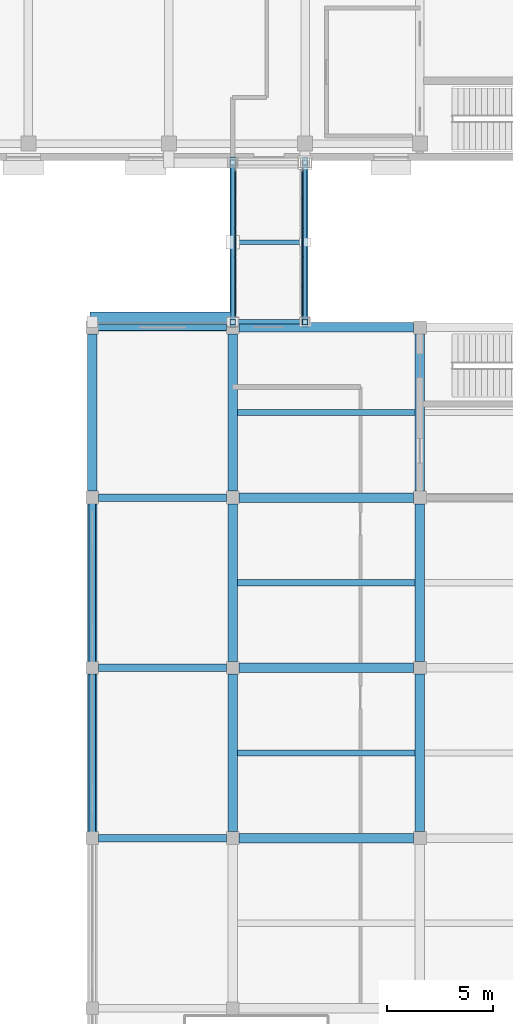
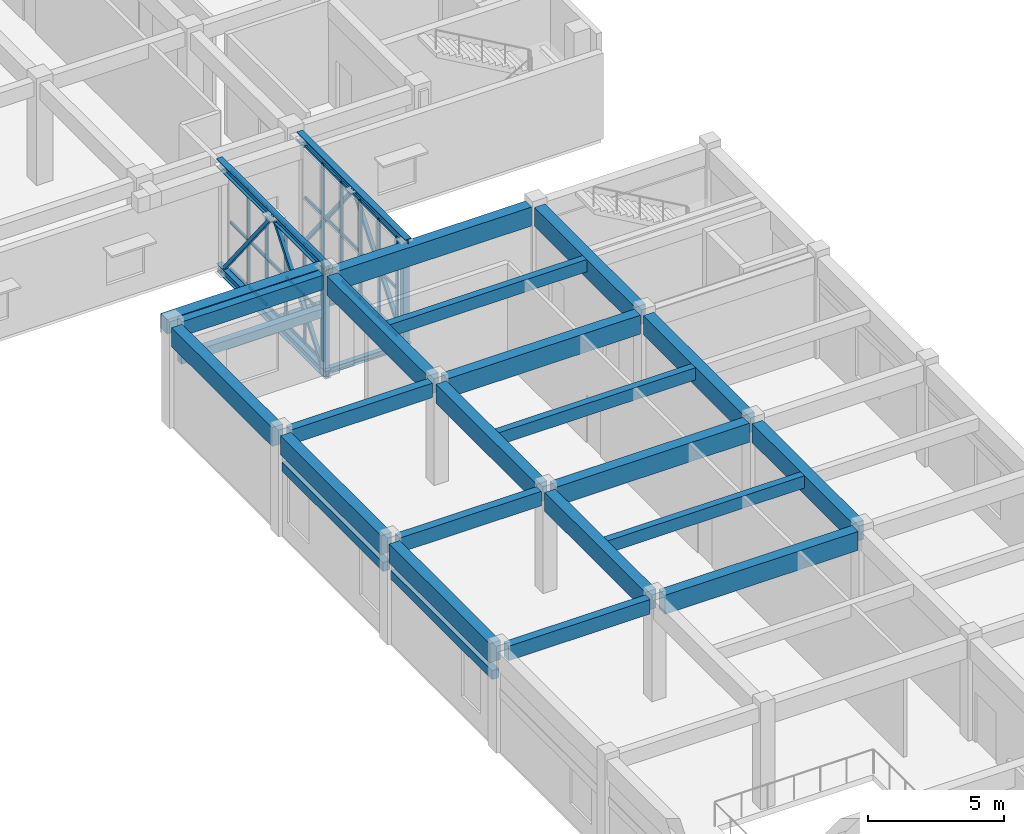
# One storey, part 23 of 64: 50 members, 26 beams, 2 elements without a shape of their own.
"""IFC4 building model written with IfcOpenShell, lengths in metres."""

from ifc_helpers import new_model, si_unit, direction, frame, origin, origin_2d, place, context, subcontext, project, spatial, rectangle, hollow_rectangle, i_section, extrude, material, layer, layer_set, material_profile, profile_set, type_object, element, aggregate, save


model = new_model("IFC4")

# Units and contexts
model_context = context("Model", 3, precision=1e-05, world=origin(), true_north=direction((0.0, 1.0)))
body_context = subcontext(model_context, "Body", "Model", "MODEL_VIEW")
ifc_project = project(units=[si_unit("LENGTHUNIT", "METRE"), si_unit("AREAUNIT", "SQUARE_METRE"), si_unit("VOLUMEUNIT", "CUBIC_METRE"), si_unit("PLANEANGLEUNIT", "RADIAN"), si_unit("MASSUNIT", "GRAM", prefix="KILO")], contexts=[model_context])

# Site, building, storey
site_placement = place(None, origin())
site = spatial("IfcSite", under=ifc_project, at=site_placement, CompositionType="ELEMENT")
building_placement = place(site_placement, origin())
building = spatial("IfcBuilding", under=site, at=building_placement, Name="Cinchona Park Media Centre", CompositionType="ELEMENT")
storey_placement = place(building_placement, frame((0.0, 0.0, 5.39990234375)))
storey = spatial("IfcBuildingStorey", under=building, at=storey_placement, Name="L01", CompositionType="ELEMENT", Elevation=5.39990234375)

# Beams
ifc_material_1 = material(Name="Concrete C35/45", Category="concrete")
ifc_material_profile_1 = material_profile(ifc_material_1, rectangle(XDim=0.449951171875, YDim=0.85009765625, at=origin_2d()), Name="RB 450X850")
ifc_profile_set_1 = profile_set([ifc_material_profile_1], Name="Concrete C35/45")
beam_type_1 = type_object("IfcBeamType", Name="BEAM-B02-RB450X850", PredefinedType="BEAM", material=ifc_profile_set_1)
for number, where, z_axis, x_axis, name in (
    (1, (156.10009765625, 39.60009765625, 4.09521484375), (1.0, 0.0, 0.0), (0.0, 1.0, 0.0), "Beam B02 L01"),
    (2, (156.10009765625, 47.60009765625, 4.09521484375), (1.0, 0.0, 0.0), (0.0, 1.0, 0.0), "Beam B02 L01"),
    (3, (156.10009765625, 55.60009765625, 4.09521484375), (1.0, 0.0, 0.0), (0.0, 1.0, 0.0), "Beam B02 L01"),
    (4, (156.10009765625, 63.60009765625, 4.09521484375), (1.0, 0.0, 0.0), (0.0, 1.0, 0.0), "Beam B02 L01"),
):
    element("IfcBeam", number, at=place(storey_placement, frame(where, z_axis=z_axis, x_axis=x_axis)), inside=storey, type_object=beam_type_1, Name=name, PredefinedType="BEAM", context=body_context, shape_type="SweptSolid", body=[
        extrude(rectangle(XDim=0.449951171875, YDim=0.85009765625, at=origin_2d()), origin(), (0.0, 0.0, 1.0), 8.199951171875),
    ])
for number, where, z_axis, x_axis, name in (
    (5, (149.199951171875, 39.89990234375, 4.09521484375), (0.0, 1.0, 0.0), (-1.0, 0.0, 0.0), "Girder B02 L01"),
    (6, (149.199951171875, 47.89990234375, 4.09521484375), (0.0, 1.0, 0.0), (-1.0, 0.0, 0.0), "Girder B02 L01"),
    (7, (149.199951171875, 55.89990234375, 4.09521484375), (0.0, 1.0, 0.0), (-1.0, 0.0, 0.0), "Girder B02 L01"),
    (8, (155.800048828125, 39.89990234375, 4.09521484375), (0.0, 1.0, 0.0), (-1.0, 0.0, 0.0), "Girder B02 L01"),
    (9, (155.800048828125, 47.89990234375, 4.09521484375), (0.0, 1.0, 0.0), (-1.0, 0.0, 0.0), "Girder B02 L01"),
    (10, (155.800048828125, 55.89990234375, 4.09521484375), (0.0, 1.0, 0.0), (-1.0, 0.0, 0.0), "Girder B02 L01"),
    (11, (164.60009765625, 39.89990234375, 4.09521484375), (0.0, 1.0, 0.0), (-1.0, 0.0, 0.0), "Girder B02 L01"),
    (12, (164.60009765625, 47.89990234375, 4.09521484375), (0.0, 1.0, 0.0), (-1.0, 0.0, 0.0), "Girder B02 L01"),
    (13, (164.60009765625, 55.89990234375, 4.09521484375), (0.0, 1.0, 0.0), (-1.0, 0.0, 0.0), "Girder B02 L01"),
):
    element("IfcBeam", number, at=place(storey_placement, frame(where, z_axis=z_axis, x_axis=x_axis)), inside=storey, type_object=beam_type_1, Name=name, PredefinedType="BEAM", context=body_context, shape_type="SweptSolid", body=[
        extrude(rectangle(XDim=0.449951171875, YDim=0.85009765625, at=origin_2d()), origin(), (0.0, 0.0, 1.0), 7.400146484375),
    ])
ifc_material_2 = material(Name="Concrete C35/45", Category="concrete")
ifc_material_profile_2 = material_profile(ifc_material_2, rectangle(XDim=0.35009765625, YDim=0.64990234375, at=origin_2d()), Name="RB 350X650")
ifc_profile_set_2 = profile_set([ifc_material_profile_2], Name="Concrete C35/45")
beam_type_2 = type_object("IfcBeamType", Name="BEAM-B04-RB350X650", PredefinedType="BEAM", material=ifc_profile_set_2)
for number, where, z_axis, x_axis, name in (
    (14, (149.5, 39.60009765625, 4.195068359375), (1.0, 0.0, 0.0), (0.0, 1.0, 0.0), "Beam B04 L01"),
    (15, (149.5, 47.60009765625, 4.195068359375), (1.0, 0.0, 0.0), (0.0, 1.0, 0.0), "Beam B04 L01"),
    (16, (149.5, 55.60009765625, 4.195068359375), (1.0, 0.0, 0.0), (0.0, 1.0, 0.0), "Beam B04 L01"),
    (17, (149.5, 63.60009765625, 4.195068359375), (1.0, 0.0, 0.0), (0.0, 1.0, 0.0), "Beam B04 L01"),
):
    element("IfcBeam", number, at=place(storey_placement, frame(where, z_axis=z_axis, x_axis=x_axis)), inside=storey, type_object=beam_type_2, Name=name, PredefinedType="BEAM", context=body_context, shape_type="SweptSolid", body=[
        extrude(rectangle(XDim=0.35009765625, YDim=0.64990234375, at=origin_2d()), origin(), (0.0, 0.0, 1.0), 6.0),
    ])
ifc_material_3 = material(Name="Concrete C40/50", Category="concrete")
ifc_material_profile_3 = material_profile(ifc_material_3, rectangle(XDim=0.47998046875, YDim=0.64990234375, at=origin_2d()), Name="RB 480X650")
ifc_profile_set_3 = profile_set([ifc_material_profile_3], Name="Concrete C40/50")
beam_type_3 = type_object("IfcBeamType", Name="BEAM-B07-RB480X650", PredefinedType="BEAM", material=ifc_profile_set_3)
beam_1_placement = place(storey_placement, frame((149.10009765625, 64.080078125, 4.175048828125), z_axis=(1.0, 0.0, 0.0), x_axis=(0.0, 1.0, 0.0)))
element("IfcBeam", 18, at=beam_1_placement, inside=storey, type_object=beam_type_3, Name="Skybridge Bearing Seat Beam B07 V6 L01", PredefinedType="BEAM", context=body_context, shape_type="SweptSolid", body=[
    extrude(rectangle(XDim=0.47998046875, YDim=0.64990234375, at=origin_2d()), origin(), (0.0, 0.0, 1.0), 6.7998046875),
])
ifc_material_4 = material(Name="Steel S355", Category="steel")
ifc_material_profile_4 = material_profile(ifc_material_4, i_section(OverallWidth=0.202880859375, OverallDepth=0.251953125, WebThickness=0.008056640625, FlangeThickness=0.013427734375, at=origin_2d()), Name="W250X58")
ifc_profile_set_4 = profile_set([ifc_material_profile_4], Name="Steel S355")
beam_type_4 = type_object("IfcBeamType", Name="BEAM-B09-W250X58", PredefinedType="BEAM", material=ifc_profile_set_4)
for number, where, z_axis, x_axis, name in (
    (19, (155.93994140625, 63.860107421875, -0.14990234375), (1.0, 0.0, 0.0), (0.0, 1.0, 0.0), "Skybridge Cross Transom Beam B09 SB1"),
    (20, (155.93994140625, 67.60009765625, -0.14990234375), (1.0, 0.0, 0.0), (0.0, 1.0, 0.0), "Skybridge Cross Transom Beam B09 SB1"),
):
    element("IfcBeam", number, at=place(storey_placement, frame(where, z_axis=z_axis, x_axis=x_axis)), inside=storey, type_object=beam_type_4, Name=name, PredefinedType="BEAM", context=body_context, shape_type="SweptSolid", body=[
        extrude(i_section(OverallWidth=0.202880859375, OverallDepth=0.251953125, WebThickness=0.008056640625, FlangeThickness=0.013427734375, at=origin_2d()), origin(), (0.0, 0.0, 1.0), 3.1201171875),
    ])
ifc_material_5 = material(Name="Concrete C35/45", Category="concrete")
ifc_material_profile_5 = material_profile(ifc_material_5, rectangle(XDim=0.300048828125, YDim=0.550048828125, at=origin_2d()), Name="RB 300X550")
ifc_profile_set_5 = profile_set([ifc_material_profile_5], Name="Concrete C35/45")
beam_type_5 = type_object("IfcBeamType", Name="BEAM-J01-RB300X550", PredefinedType="JOIST", material=ifc_profile_set_5)
for number, where, z_axis, x_axis, name in (
    (21, (156.02490234375, 43.60009765625, 4.2451171875), (1.0, 0.0, 0.0), (0.0, 1.0, 0.0), "Floor Joist J01 L01"),
    (22, (156.02490234375, 51.60009765625, 4.2451171875), (1.0, 0.0, 0.0), (0.0, 1.0, 0.0), "Floor Joist J01 L01"),
    (23, (156.02490234375, 59.60009765625, 4.2451171875), (1.0, 0.0, 0.0), (0.0, 1.0, 0.0), "Floor Joist J01 L01"),
):
    element("IfcBeam", number, at=place(storey_placement, frame(where, z_axis=z_axis, x_axis=x_axis)), inside=storey, type_object=beam_type_5, Name=name, PredefinedType="JOIST", context=body_context, shape_type="SweptSolid", body=[
        extrude(rectangle(XDim=0.300048828125, YDim=0.550048828125, at=origin_2d()), origin(), (0.0, 0.0, 1.0), 8.35009765625),
    ])
ifc_material_6 = material(Name="Concrete C35/45", Category="concrete")
ifc_material_profile_6 = material_profile(ifc_material_6, rectangle(XDim=0.300048828125, YDim=0.39990234375, at=origin_2d()), Name="RL 300X400")
ifc_profile_set_6 = profile_set([ifc_material_profile_6], Name="Concrete C35/45")
beam_type_6 = type_object("IfcBeamType", Name="BEAM-LN02-RL300X400", PredefinedType="LINTEL", material=ifc_profile_set_6)
for number, where, z_axis, x_axis, name in (
    (24, (149.199951171875, 39.8798828125, 3.10009765625), (0.0, 1.0, 0.0), (-1.0, 0.0, 0.0), "Window Lintel LN02"),
    (25, (149.199951171875, 47.8798828125, 3.10009765625), (0.0, 1.0, 0.0), (-1.0, 0.0, 0.0), "Window Lintel LN02"),
):
    element("IfcBeam", number, at=place(storey_placement, frame(where, z_axis=z_axis, x_axis=x_axis)), inside=storey, type_object=beam_type_6, Name=name, PredefinedType="LINTEL", context=body_context, shape_type="SweptSolid", body=[
        extrude(rectangle(XDim=0.300048828125, YDim=0.39990234375, at=origin_2d()), origin(), (0.0, 0.0, 1.0), 7.440185546875),
    ])
beam_2_placement = place(storey_placement, frame((149.47998046875, 63.60009765625, 2.800048828125), z_axis=(1.0, 0.0, 0.0), x_axis=(0.0, 1.0, 0.0)))
element("IfcBeam", 26, at=beam_2_placement, inside=storey, type_object=beam_type_6, Name="Window Lintel LN02", PredefinedType="LINTEL", context=body_context, shape_type="SweptSolid", body=[
    extrude(rectangle(XDim=0.300048828125, YDim=0.39990234375, at=origin_2d()), origin(), (0.0, 0.0, 1.0), 6.0400390625),
])

# Members
ifc_material_7 = material(Name="Steel S355", Category="steel")
ifc_material_profile_7 = material_profile(ifc_material_7, i_section(OverallWidth=0.257080078125, OverallDepth=0.363037109375, WebThickness=0.012939453125, FlangeThickness=0.021728515625, at=origin_2d()), Name="W360X122")
ifc_profile_set_7 = profile_set([ifc_material_profile_7], Name="Steel S355")
member_type_1 = type_object("IfcMemberType", Name="MEMBER-TC04-W360X122", PredefinedType="CHORD", material=ifc_profile_set_7)
for number, where, z_axis, x_axis, name in (
    (27, (155.800048828125, 63.60009765625, -0.14990234375), (0.0, 1.0, 0.0), (-1.0, 0.0, 0.0), "Skybridge Truss Bottom Chord TC04 SB1"),
    (28, (155.800048828125, 63.60009765625, 4.550048828125), (0.0, 1.0, 0.0), (-1.0, 0.0, 0.0), "Skybridge Truss Top Chord TC04 SB1"),
    (29, (159.199951171875, 63.60009765625, -0.14990234375), (0.0, 1.0, 0.0), (-1.0, 0.0, 0.0), "Skybridge Truss Bottom Chord TC04 SB1"),
    (30, (159.199951171875, 63.60009765625, 4.550048828125), (0.0, 1.0, 0.0), (-1.0, 0.0, 0.0), "Skybridge Truss Top Chord TC04 SB1"),
):
    element("IfcMember", number, at=place(storey_placement, frame(where, z_axis=z_axis, x_axis=x_axis)), inside=storey, type_object=member_type_1, Name=name, PredefinedType="CHORD", context=body_context, shape_type="SweptSolid", body=[
        extrude(i_section(OverallWidth=0.257080078125, OverallDepth=0.363037109375, WebThickness=0.012939453125, FlangeThickness=0.021728515625, at=origin_2d()), origin(), (0.0, 0.0, 1.0), 8.0),
    ])
ifc_material_8 = material(Name="Steel S355", Category="steel")
ifc_material_profile_8 = material_profile(ifc_material_8, hollow_rectangle(XDim=0.25, YDim=0.25, WallThickness=0.01611328125, at=origin_2d()), Name="250X250X16SHS")
ifc_profile_set_8 = profile_set([ifc_material_profile_8], Name="Steel S355")
member_type_2 = type_object("IfcMemberType", Name="MEMBER-TS02-SHS250X250X16", PredefinedType="STRUT", material=ifc_profile_set_8)
for number, where, z_axis, x_axis, name in (
    (31, (155.800048828125, 63.860107421875, -0.2998046875), (0.0, 0.0, 1.0), (1.0, 0.0, 0.0), "Skybridge Truss End Post TS02 SB1"),
    (32, (159.199951171875, 63.860107421875, -0.2998046875), (0.0, 0.0, 1.0), (1.0, 0.0, 0.0), "Skybridge Truss End Post TS02 SB1"),
):
    element("IfcMember", number, at=place(storey_placement, frame(where, z_axis=z_axis, x_axis=x_axis)), inside=storey, type_object=member_type_2, Name=name, PredefinedType="STRUT", context=body_context, shape_type="SweptSolid", body=[
        extrude(hollow_rectangle(XDim=0.25, YDim=0.25, WallThickness=0.01611328125, at=origin_2d()), origin(), (0.0, 0.0, 1.0), 4.849853515625),
    ])
ifc_material_9 = material(Name="Steel S355", Category="steel")
ifc_material_profile_9 = material_profile(ifc_material_9, hollow_rectangle(XDim=0.14990234375, YDim=0.14990234375, WallThickness=0.010009765625, at=origin_2d()), Name="150X150X10SHS")
ifc_profile_set_9 = profile_set([ifc_material_profile_9], Name="Steel S355")
member_type_3 = type_object("IfcMemberType", Name="MEMBER-TS03-SHS150X150X10", PredefinedType="STRUT", material=ifc_profile_set_9)
for number, where, z_axis, x_axis, name in (
    (33, (155.800048828125, 63.860107421875, -0.14990234375), (0.0, 0.622665567995, 0.782488076863), (-1.0, 0.0, 0.0), "Skybridge Truss Web Diagonal SB1"),
    (34, (155.800048828125, 67.60009765625, 4.550048828125), (0.0, 0.622665567995, -0.782488076863), (-1.0, 0.0, 0.0), "Skybridge Truss Web Diagonal SB1"),
    (35, (159.199951171875, 63.860107421875, -0.14990234375), (0.0, 0.622665567995, 0.782488076863), (-1.0, 0.0, 0.0), "Skybridge Truss Web Diagonal SB1"),
    (36, (159.199951171875, 67.60009765625, 4.550048828125), (0.0, 0.622665567995, -0.782488076863), (-1.0, 0.0, 0.0), "Skybridge Truss Web Diagonal SB1"),
):
    element("IfcMember", number, at=place(storey_placement, frame(where, z_axis=z_axis, x_axis=x_axis)), inside=storey, type_object=member_type_3, Name=name, PredefinedType="STRUT", context=body_context, shape_type="SweptSolid", body=[
        extrude(hollow_rectangle(XDim=0.14990234375, YDim=0.14990234375, WallThickness=0.010009765625, at=origin_2d()), origin(), (0.0, 0.0, 1.0), 6.00634765625),
    ])

# Curtain wall, members
ifc_material_10 = material(Name="Aluminium Curtain Wall Framing", Category="aluminium")
ifc_layer = layer(ifc_material_10, 0.195068359375)
ifc_layer_set = layer_set([ifc_layer], Name="Aluminium Curtain Wall Framing")
curtain_wall_type = type_object("IfcCurtainWallType", Name="CW-CW02", PredefinedType="USERDEFINED", material=ifc_layer_set)
curtain_wall_1_placement = place(storey_placement, origin())
curtain_wall_1 = element("IfcCurtainWall", 37, at=curtain_wall_1_placement, inside=storey, type_object=curtain_wall_type, Name="Skybridge SB1 Curtain Wall CW02 L01", ObjectType="UNITISED CURTAIN WALL", PredefinedType="USERDEFINED")
ifc_material_11 = material(Name="Anodised Aluminium Alloy 6063-T6", Category="aluminium")
ifc_material_profile_10 = material_profile(ifc_material_11, rectangle(XDim=0.06494140625, YDim=0.159912109375, at=origin_2d()), Name="MUL-65X160")
ifc_profile_set_10 = profile_set([ifc_material_profile_10], Name="Anodised Aluminium Alloy 6063-T6")
member_type_4 = type_object("IfcMemberType", Name="MULLION-MUL01", PredefinedType="MULLION", material=ifc_profile_set_10)
member_1_placement = place(storey_placement, frame((155.919921875, 64.202392578125, 0.050048828125), z_axis=(0.0, 0.0, 1.0), x_axis=(-1.0, 0.0, 0.0)))
member_1 = element("IfcMember", 38, at=member_1_placement, type_object=member_type_4, Name="CW02 mullion 1", PredefinedType="MULLION", context=body_context, shape_type="SweptSolid", body=[
    extrude(rectangle(XDim=0.06494140625, YDim=0.159912109375, at=origin_2d()), origin(), (0.0, 0.0, 1.0), 4.449951171875),
])
member_2_placement = place(storey_placement, frame((155.919921875, 65.5419921875, 0.050048828125), z_axis=(0.0, 0.0, 1.0), x_axis=(-1.0, 0.0, 0.0)))
member_2 = element("IfcMember", 39, at=member_2_placement, type_object=member_type_4, Name="CW02 mullion 2", PredefinedType="MULLION", context=body_context, shape_type="SweptSolid", body=[
    extrude(rectangle(XDim=0.06494140625, YDim=0.159912109375, at=origin_2d()), origin(), (0.0, 0.0, 1.0), 4.449951171875),
])
member_3_placement = place(storey_placement, frame((155.919921875, 66.9140625, 0.050048828125), z_axis=(0.0, 0.0, 1.0), x_axis=(-1.0, 0.0, 0.0)))
member_3 = element("IfcMember", 40, at=member_3_placement, type_object=member_type_4, Name="CW02 mullion 3", PredefinedType="MULLION", context=body_context, shape_type="SweptSolid", body=[
    extrude(rectangle(XDim=0.06494140625, YDim=0.159912109375, at=origin_2d()), origin(), (0.0, 0.0, 1.0), 4.449951171875),
])
member_4_placement = place(storey_placement, frame((155.919921875, 68.285888671875, 0.050048828125), z_axis=(0.0, 0.0, 1.0), x_axis=(-1.0, 0.0, 0.0)))
member_4 = element("IfcMember", 41, at=member_4_placement, type_object=member_type_4, Name="CW02 mullion 4", PredefinedType="MULLION", context=body_context, shape_type="SweptSolid", body=[
    extrude(rectangle(XDim=0.06494140625, YDim=0.159912109375, at=origin_2d()), origin(), (0.0, 0.0, 1.0), 4.449951171875),
])
member_5_placement = place(storey_placement, frame((155.919921875, 69.657958984375, 0.050048828125), z_axis=(0.0, 0.0, 1.0), x_axis=(-1.0, 0.0, 0.0)))
member_5 = element("IfcMember", 42, at=member_5_placement, type_object=member_type_4, Name="CW02 mullion 5", PredefinedType="MULLION", context=body_context, shape_type="SweptSolid", body=[
    extrude(rectangle(XDim=0.06494140625, YDim=0.159912109375, at=origin_2d()), origin(), (0.0, 0.0, 1.0), 4.449951171875),
])

curtain_wall_2_placement = place(storey_placement, origin())
curtain_wall_2 = element("IfcCurtainWall", 43, at=curtain_wall_2_placement, inside=storey, type_object=curtain_wall_type, Name="Skybridge SB1 Curtain Wall CW02 L01", ObjectType="UNITISED CURTAIN WALL", PredefinedType="USERDEFINED")
member_6_placement = place(storey_placement, frame((159.080078125, 69.657958984375, 0.050048828125), z_axis=(0.0, 0.0, 1.0), x_axis=(1.0, 0.0, 0.0)))
member_6 = element("IfcMember", 44, at=member_6_placement, type_object=member_type_4, Name="CW02 mullion 2", PredefinedType="MULLION", context=body_context, shape_type="SweptSolid", body=[
    extrude(rectangle(XDim=0.06494140625, YDim=0.159912109375, at=origin_2d()), origin(), (0.0, 0.0, 1.0), 4.449951171875),
])
member_7_placement = place(storey_placement, frame((159.080078125, 68.285888671875, 0.050048828125), z_axis=(0.0, 0.0, 1.0), x_axis=(1.0, 0.0, 0.0)))
member_7 = element("IfcMember", 45, at=member_7_placement, type_object=member_type_4, Name="CW02 mullion 3", PredefinedType="MULLION", context=body_context, shape_type="SweptSolid", body=[
    extrude(rectangle(XDim=0.06494140625, YDim=0.159912109375, at=origin_2d()), origin(), (0.0, 0.0, 1.0), 4.449951171875),
])
member_8_placement = place(storey_placement, frame((159.080078125, 66.9140625, 0.050048828125), z_axis=(0.0, 0.0, 1.0), x_axis=(1.0, 0.0, 0.0)))
member_8 = element("IfcMember", 46, at=member_8_placement, type_object=member_type_4, Name="CW02 mullion 4", PredefinedType="MULLION", context=body_context, shape_type="SweptSolid", body=[
    extrude(rectangle(XDim=0.06494140625, YDim=0.159912109375, at=origin_2d()), origin(), (0.0, 0.0, 1.0), 4.449951171875),
])
member_9_placement = place(storey_placement, frame((159.080078125, 65.5419921875, 0.050048828125), z_axis=(0.0, 0.0, 1.0), x_axis=(1.0, 0.0, 0.0)))
member_9 = element("IfcMember", 47, at=member_9_placement, type_object=member_type_4, Name="CW02 mullion 5", PredefinedType="MULLION", context=body_context, shape_type="SweptSolid", body=[
    extrude(rectangle(XDim=0.06494140625, YDim=0.159912109375, at=origin_2d()), origin(), (0.0, 0.0, 1.0), 4.449951171875),
])
member_10_placement = place(storey_placement, frame((159.080078125, 64.202392578125, 0.050048828125), z_axis=(0.0, 0.0, 1.0), x_axis=(1.0, 0.0, 0.0)))
member_10 = element("IfcMember", 48, at=member_10_placement, type_object=member_type_4, Name="CW02 mullion 6", PredefinedType="MULLION", context=body_context, shape_type="SweptSolid", body=[
    extrude(rectangle(XDim=0.06494140625, YDim=0.159912109375, at=origin_2d()), origin(), (0.0, 0.0, 1.0), 4.449951171875),
])

# Member
ifc_material_12 = material(Name="Anodised Aluminium Alloy 6063-T6", Category="aluminium")
ifc_material_profile_11 = material_profile(ifc_material_12, rectangle(XDim=0.06494140625, YDim=0.1201171875, at=origin_2d()), Name="TRN-65X120")
ifc_profile_set_11 = profile_set([ifc_material_profile_11], Name="Anodised Aluminium Alloy 6063-T6")
member_type_5 = type_object("IfcMemberType", Name="TRANSOM-TRN01", PredefinedType="USERDEFINED", material=ifc_profile_set_11)
member_11_placement = place(storey_placement, frame((155.919921875, 64.235107421875, 0.08251953125), z_axis=(0.0, 1.0, 0.0), x_axis=(-1.0, 0.0, 0.0)))
member_11 = element("IfcMember", 49, at=member_11_placement, type_object=member_type_5, Name="CW02 transom 1.1", ObjectType="TRANSOM", PredefinedType="USERDEFINED", context=body_context, shape_type="SweptSolid", body=[
    extrude(rectangle(XDim=0.06494140625, YDim=0.1201171875, at=origin_2d()), origin(), (0.0, 0.0, 1.0), 1.2744140625),
])

member_12_placement = place(storey_placement, frame((155.919921875, 64.235107421875, 2.18603515625), z_axis=(0.0, 1.0, 0.0), x_axis=(-1.0, 0.0, 0.0)))
member_12 = element("IfcMember", 50, at=member_12_placement, type_object=member_type_5, Name="CW02 transom 1.2", ObjectType="TRANSOM", PredefinedType="USERDEFINED", context=body_context, shape_type="SweptSolid", body=[
    extrude(rectangle(XDim=0.06494140625, YDim=0.1201171875, at=origin_2d()), origin(), (0.0, 0.0, 1.0), 1.2744140625),
])

member_13_placement = place(storey_placement, frame((155.919921875, 64.235107421875, 4.467529296875), z_axis=(0.0, 1.0, 0.0), x_axis=(-1.0, 0.0, 0.0)))
member_13 = element("IfcMember", 51, at=member_13_placement, type_object=member_type_5, Name="CW02 transom 1.3", ObjectType="TRANSOM", PredefinedType="USERDEFINED", context=body_context, shape_type="SweptSolid", body=[
    extrude(rectangle(XDim=0.06494140625, YDim=0.1201171875, at=origin_2d()), origin(), (0.0, 0.0, 1.0), 1.2744140625),
])

member_14_placement = place(storey_placement, frame((155.919921875, 65.574462890625, 0.08251953125), z_axis=(0.0, 1.0, 0.0), x_axis=(-1.0, 0.0, 0.0)))
member_14 = element("IfcMember", 52, at=member_14_placement, type_object=member_type_5, Name="CW02 transom 2.1", ObjectType="TRANSOM", PredefinedType="USERDEFINED", context=body_context, shape_type="SweptSolid", body=[
    extrude(rectangle(XDim=0.06494140625, YDim=0.1201171875, at=origin_2d()), origin(), (0.0, 0.0, 1.0), 1.30712890625),
])

member_15_placement = place(storey_placement, frame((155.919921875, 65.574462890625, 2.18603515625), z_axis=(0.0, 1.0, 0.0), x_axis=(-1.0, 0.0, 0.0)))
member_15 = element("IfcMember", 53, at=member_15_placement, type_object=member_type_5, Name="CW02 transom 2.2", ObjectType="TRANSOM", PredefinedType="USERDEFINED", context=body_context, shape_type="SweptSolid", body=[
    extrude(rectangle(XDim=0.06494140625, YDim=0.1201171875, at=origin_2d()), origin(), (0.0, 0.0, 1.0), 1.30712890625),
])

member_16_placement = place(storey_placement, frame((155.919921875, 65.574462890625, 4.467529296875), z_axis=(0.0, 1.0, 0.0), x_axis=(-1.0, 0.0, 0.0)))
member_16 = element("IfcMember", 54, at=member_16_placement, type_object=member_type_5, Name="CW02 transom 2.3", ObjectType="TRANSOM", PredefinedType="USERDEFINED", context=body_context, shape_type="SweptSolid", body=[
    extrude(rectangle(XDim=0.06494140625, YDim=0.1201171875, at=origin_2d()), origin(), (0.0, 0.0, 1.0), 1.30712890625),
])

member_17_placement = place(storey_placement, frame((155.919921875, 66.946533203125, 0.08251953125), z_axis=(0.0, 1.0, 0.0), x_axis=(-1.0, 0.0, 0.0)))
member_17 = element("IfcMember", 55, at=member_17_placement, type_object=member_type_5, Name="CW02 transom 3.1", ObjectType="TRANSOM", PredefinedType="USERDEFINED", context=body_context, shape_type="SweptSolid", body=[
    extrude(rectangle(XDim=0.06494140625, YDim=0.1201171875, at=origin_2d()), origin(), (0.0, 0.0, 1.0), 1.306884765625),
])

member_18_placement = place(storey_placement, frame((155.919921875, 66.946533203125, 2.18603515625), z_axis=(0.0, 1.0, 0.0), x_axis=(-1.0, 0.0, 0.0)))
member_18 = element("IfcMember", 56, at=member_18_placement, type_object=member_type_5, Name="CW02 transom 3.2", ObjectType="TRANSOM", PredefinedType="USERDEFINED", context=body_context, shape_type="SweptSolid", body=[
    extrude(rectangle(XDim=0.06494140625, YDim=0.1201171875, at=origin_2d()), origin(), (0.0, 0.0, 1.0), 1.306884765625),
])

member_19_placement = place(storey_placement, frame((155.919921875, 66.946533203125, 4.467529296875), z_axis=(0.0, 1.0, 0.0), x_axis=(-1.0, 0.0, 0.0)))
member_19 = element("IfcMember", 57, at=member_19_placement, type_object=member_type_5, Name="CW02 transom 3.3", ObjectType="TRANSOM", PredefinedType="USERDEFINED", context=body_context, shape_type="SweptSolid", body=[
    extrude(rectangle(XDim=0.06494140625, YDim=0.1201171875, at=origin_2d()), origin(), (0.0, 0.0, 1.0), 1.306884765625),
])

member_20_placement = place(storey_placement, frame((155.919921875, 68.318603515625, 0.08251953125), z_axis=(0.0, 1.0, 0.0), x_axis=(-1.0, 0.0, 0.0)))
member_20 = element("IfcMember", 58, at=member_20_placement, type_object=member_type_5, Name="CW02 transom 4.1", ObjectType="TRANSOM", PredefinedType="USERDEFINED", context=body_context, shape_type="SweptSolid", body=[
    extrude(rectangle(XDim=0.06494140625, YDim=0.1201171875, at=origin_2d()), origin(), (0.0, 0.0, 1.0), 1.306884765625),
])

member_21_placement = place(storey_placement, frame((155.919921875, 68.318603515625, 2.18603515625), z_axis=(0.0, 1.0, 0.0), x_axis=(-1.0, 0.0, 0.0)))
member_21 = element("IfcMember", 59, at=member_21_placement, type_object=member_type_5, Name="CW02 transom 4.2", ObjectType="TRANSOM", PredefinedType="USERDEFINED", context=body_context, shape_type="SweptSolid", body=[
    extrude(rectangle(XDim=0.06494140625, YDim=0.1201171875, at=origin_2d()), origin(), (0.0, 0.0, 1.0), 1.306884765625),
])

member_22_placement = place(storey_placement, frame((155.919921875, 68.318603515625, 4.467529296875), z_axis=(0.0, 1.0, 0.0), x_axis=(-1.0, 0.0, 0.0)))
member_22 = element("IfcMember", 60, at=member_22_placement, type_object=member_type_5, Name="CW02 transom 4.3", ObjectType="TRANSOM", PredefinedType="USERDEFINED", context=body_context, shape_type="SweptSolid", body=[
    extrude(rectangle(XDim=0.06494140625, YDim=0.1201171875, at=origin_2d()), origin(), (0.0, 0.0, 1.0), 1.306884765625),
])

member_23_placement = place(storey_placement, frame((155.919921875, 69.6904296875, 0.08251953125), z_axis=(0.0, 1.0, 0.0), x_axis=(-1.0, 0.0, 0.0)))
member_23 = element("IfcMember", 61, at=member_23_placement, type_object=member_type_5, Name="CW02 transom 5.1", ObjectType="TRANSOM", PredefinedType="USERDEFINED", context=body_context, shape_type="SweptSolid", body=[
    extrude(rectangle(XDim=0.06494140625, YDim=0.1201171875, at=origin_2d()), origin(), (0.0, 0.0, 1.0), 1.274658203125),
])

member_24_placement = place(storey_placement, frame((155.919921875, 69.6904296875, 2.18603515625), z_axis=(0.0, 1.0, 0.0), x_axis=(-1.0, 0.0, 0.0)))
member_24 = element("IfcMember", 62, at=member_24_placement, type_object=member_type_5, Name="CW02 transom 5.2", ObjectType="TRANSOM", PredefinedType="USERDEFINED", context=body_context, shape_type="SweptSolid", body=[
    extrude(rectangle(XDim=0.06494140625, YDim=0.1201171875, at=origin_2d()), origin(), (0.0, 0.0, 1.0), 1.274658203125),
])

member_25_placement = place(storey_placement, frame((155.919921875, 69.6904296875, 4.467529296875), z_axis=(0.0, 1.0, 0.0), x_axis=(-1.0, 0.0, 0.0)))
member_25 = element("IfcMember", 63, at=member_25_placement, type_object=member_type_5, Name="CW02 transom 5.3", ObjectType="TRANSOM", PredefinedType="USERDEFINED", context=body_context, shape_type="SweptSolid", body=[
    extrude(rectangle(XDim=0.06494140625, YDim=0.1201171875, at=origin_2d()), origin(), (0.0, 0.0, 1.0), 1.274658203125),
])

aggregate(curtain_wall_1, [member_1, member_2, member_3, member_4, member_5, member_11, member_12, member_13, member_14, member_15, member_16, member_17, member_18, member_19, member_20, member_21, member_22, member_23, member_24, member_25])

member_26_placement = place(storey_placement, frame((159.080078125, 70.965087890625, 0.08251953125), z_axis=(0.0, -1.0, 0.0), x_axis=(1.0, 0.0, 0.0)))
member_26 = element("IfcMember", 64, at=member_26_placement, type_object=member_type_5, Name="CW02 transom 1.1", ObjectType="TRANSOM", PredefinedType="USERDEFINED", context=body_context, shape_type="SweptSolid", body=[
    extrude(rectangle(XDim=0.06494140625, YDim=0.1201171875, at=origin_2d()), origin(), (0.0, 0.0, 1.0), 1.274658203125),
])

member_27_placement = place(storey_placement, frame((159.080078125, 70.965087890625, 2.18603515625), z_axis=(0.0, -1.0, 0.0), x_axis=(1.0, 0.0, 0.0)))
member_27 = element("IfcMember", 65, at=member_27_placement, type_object=member_type_5, Name="CW02 transom 1.2", ObjectType="TRANSOM", PredefinedType="USERDEFINED", context=body_context, shape_type="SweptSolid", body=[
    extrude(rectangle(XDim=0.06494140625, YDim=0.1201171875, at=origin_2d()), origin(), (0.0, 0.0, 1.0), 1.274658203125),
])

member_28_placement = place(storey_placement, frame((159.080078125, 70.965087890625, 4.467529296875), z_axis=(0.0, -1.0, 0.0), x_axis=(1.0, 0.0, 0.0)))
member_28 = element("IfcMember", 66, at=member_28_placement, type_object=member_type_5, Name="CW02 transom 1.3", ObjectType="TRANSOM", PredefinedType="USERDEFINED", context=body_context, shape_type="SweptSolid", body=[
    extrude(rectangle(XDim=0.06494140625, YDim=0.1201171875, at=origin_2d()), origin(), (0.0, 0.0, 1.0), 1.274658203125),
])

member_29_placement = place(storey_placement, frame((159.080078125, 69.62548828125, 0.08251953125), z_axis=(0.0, -1.0, 0.0), x_axis=(1.0, 0.0, 0.0)))
member_29 = element("IfcMember", 67, at=member_29_placement, type_object=member_type_5, Name="CW02 transom 2.1", ObjectType="TRANSOM", PredefinedType="USERDEFINED", context=body_context, shape_type="SweptSolid", body=[
    extrude(rectangle(XDim=0.06494140625, YDim=0.1201171875, at=origin_2d()), origin(), (0.0, 0.0, 1.0), 1.306884765625),
])

member_30_placement = place(storey_placement, frame((159.080078125, 69.62548828125, 2.18603515625), z_axis=(0.0, -1.0, 0.0), x_axis=(1.0, 0.0, 0.0)))
member_30 = element("IfcMember", 68, at=member_30_placement, type_object=member_type_5, Name="CW02 transom 2.2", ObjectType="TRANSOM", PredefinedType="USERDEFINED", context=body_context, shape_type="SweptSolid", body=[
    extrude(rectangle(XDim=0.06494140625, YDim=0.1201171875, at=origin_2d()), origin(), (0.0, 0.0, 1.0), 1.306884765625),
])

member_31_placement = place(storey_placement, frame((159.080078125, 69.62548828125, 4.467529296875), z_axis=(0.0, -1.0, 0.0), x_axis=(1.0, 0.0, 0.0)))
member_31 = element("IfcMember", 69, at=member_31_placement, type_object=member_type_5, Name="CW02 transom 2.3", ObjectType="TRANSOM", PredefinedType="USERDEFINED", context=body_context, shape_type="SweptSolid", body=[
    extrude(rectangle(XDim=0.06494140625, YDim=0.1201171875, at=origin_2d()), origin(), (0.0, 0.0, 1.0), 1.306884765625),
])

member_32_placement = place(storey_placement, frame((159.080078125, 68.25341796875, 0.08251953125), z_axis=(0.0, -1.0, 0.0), x_axis=(1.0, 0.0, 0.0)))
member_32 = element("IfcMember", 70, at=member_32_placement, type_object=member_type_5, Name="CW02 transom 3.1", ObjectType="TRANSOM", PredefinedType="USERDEFINED", context=body_context, shape_type="SweptSolid", body=[
    extrude(rectangle(XDim=0.06494140625, YDim=0.1201171875, at=origin_2d()), origin(), (0.0, 0.0, 1.0), 1.306884765625),
])

member_33_placement = place(storey_placement, frame((159.080078125, 68.25341796875, 2.18603515625), z_axis=(0.0, -1.0, 0.0), x_axis=(1.0, 0.0, 0.0)))
member_33 = element("IfcMember", 71, at=member_33_placement, type_object=member_type_5, Name="CW02 transom 3.2", ObjectType="TRANSOM", PredefinedType="USERDEFINED", context=body_context, shape_type="SweptSolid", body=[
    extrude(rectangle(XDim=0.06494140625, YDim=0.1201171875, at=origin_2d()), origin(), (0.0, 0.0, 1.0), 1.306884765625),
])

member_34_placement = place(storey_placement, frame((159.080078125, 68.25341796875, 4.467529296875), z_axis=(0.0, -1.0, 0.0), x_axis=(1.0, 0.0, 0.0)))
member_34 = element("IfcMember", 72, at=member_34_placement, type_object=member_type_5, Name="CW02 transom 3.3", ObjectType="TRANSOM", PredefinedType="USERDEFINED", context=body_context, shape_type="SweptSolid", body=[
    extrude(rectangle(XDim=0.06494140625, YDim=0.1201171875, at=origin_2d()), origin(), (0.0, 0.0, 1.0), 1.306884765625),
])

member_35_placement = place(storey_placement, frame((159.080078125, 66.881591796875, 0.08251953125), z_axis=(0.0, -1.0, 0.0), x_axis=(1.0, 0.0, 0.0)))
member_35 = element("IfcMember", 73, at=member_35_placement, type_object=member_type_5, Name="CW02 transom 4.1", ObjectType="TRANSOM", PredefinedType="USERDEFINED", context=body_context, shape_type="SweptSolid", body=[
    extrude(rectangle(XDim=0.06494140625, YDim=0.1201171875, at=origin_2d()), origin(), (0.0, 0.0, 1.0), 1.30712890625),
])

member_36_placement = place(storey_placement, frame((159.080078125, 66.881591796875, 2.18603515625), z_axis=(0.0, -1.0, 0.0), x_axis=(1.0, 0.0, 0.0)))
member_36 = element("IfcMember", 74, at=member_36_placement, type_object=member_type_5, Name="CW02 transom 4.2", ObjectType="TRANSOM", PredefinedType="USERDEFINED", context=body_context, shape_type="SweptSolid", body=[
    extrude(rectangle(XDim=0.06494140625, YDim=0.1201171875, at=origin_2d()), origin(), (0.0, 0.0, 1.0), 1.30712890625),
])

member_37_placement = place(storey_placement, frame((159.080078125, 66.881591796875, 4.467529296875), z_axis=(0.0, -1.0, 0.0), x_axis=(1.0, 0.0, 0.0)))
member_37 = element("IfcMember", 75, at=member_37_placement, type_object=member_type_5, Name="CW02 transom 4.3", ObjectType="TRANSOM", PredefinedType="USERDEFINED", context=body_context, shape_type="SweptSolid", body=[
    extrude(rectangle(XDim=0.06494140625, YDim=0.1201171875, at=origin_2d()), origin(), (0.0, 0.0, 1.0), 1.30712890625),
])

member_38_placement = place(storey_placement, frame((159.080078125, 65.509521484375, 0.08251953125), z_axis=(0.0, -1.0, 0.0), x_axis=(1.0, 0.0, 0.0)))
member_38 = element("IfcMember", 76, at=member_38_placement, type_object=member_type_5, Name="CW02 transom 5.1", ObjectType="TRANSOM", PredefinedType="USERDEFINED", context=body_context, shape_type="SweptSolid", body=[
    extrude(rectangle(XDim=0.06494140625, YDim=0.1201171875, at=origin_2d()), origin(), (0.0, 0.0, 1.0), 1.2744140625),
])

member_39_placement = place(storey_placement, frame((159.080078125, 65.509521484375, 2.18603515625), z_axis=(0.0, -1.0, 0.0), x_axis=(1.0, 0.0, 0.0)))
member_39 = element("IfcMember", 77, at=member_39_placement, type_object=member_type_5, Name="CW02 transom 5.2", ObjectType="TRANSOM", PredefinedType="USERDEFINED", context=body_context, shape_type="SweptSolid", body=[
    extrude(rectangle(XDim=0.06494140625, YDim=0.1201171875, at=origin_2d()), origin(), (0.0, 0.0, 1.0), 1.2744140625),
])

member_40_placement = place(storey_placement, frame((159.080078125, 65.509521484375, 4.467529296875), z_axis=(0.0, -1.0, 0.0), x_axis=(1.0, 0.0, 0.0)))
member_40 = element("IfcMember", 78, at=member_40_placement, type_object=member_type_5, Name="CW02 transom 5.3", ObjectType="TRANSOM", PredefinedType="USERDEFINED", context=body_context, shape_type="SweptSolid", body=[
    extrude(rectangle(XDim=0.06494140625, YDim=0.1201171875, at=origin_2d()), origin(), (0.0, 0.0, 1.0), 1.2744140625),
])

aggregate(curtain_wall_2, [member_6, member_7, member_8, member_9, member_10, member_26, member_27, member_28, member_29, member_30, member_31, member_32, member_33, member_34, member_35, member_36, member_37, member_38, member_39, member_40])

save(model, "model.ifc")
